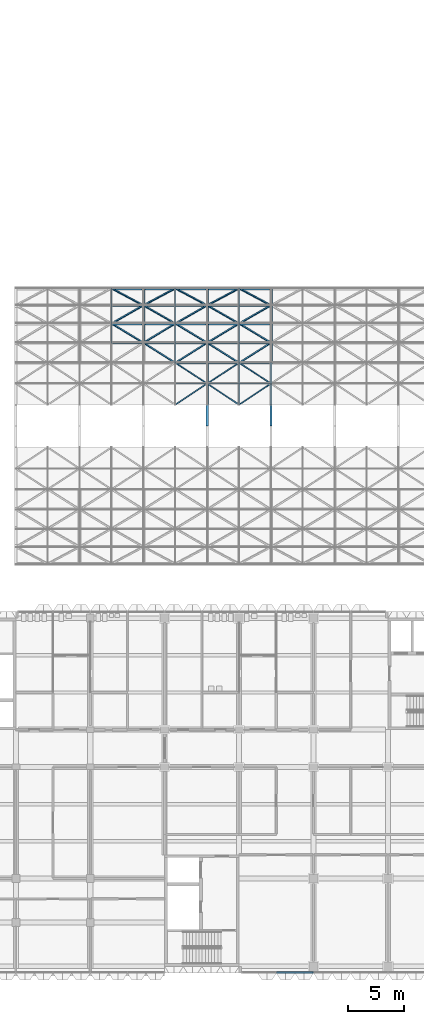
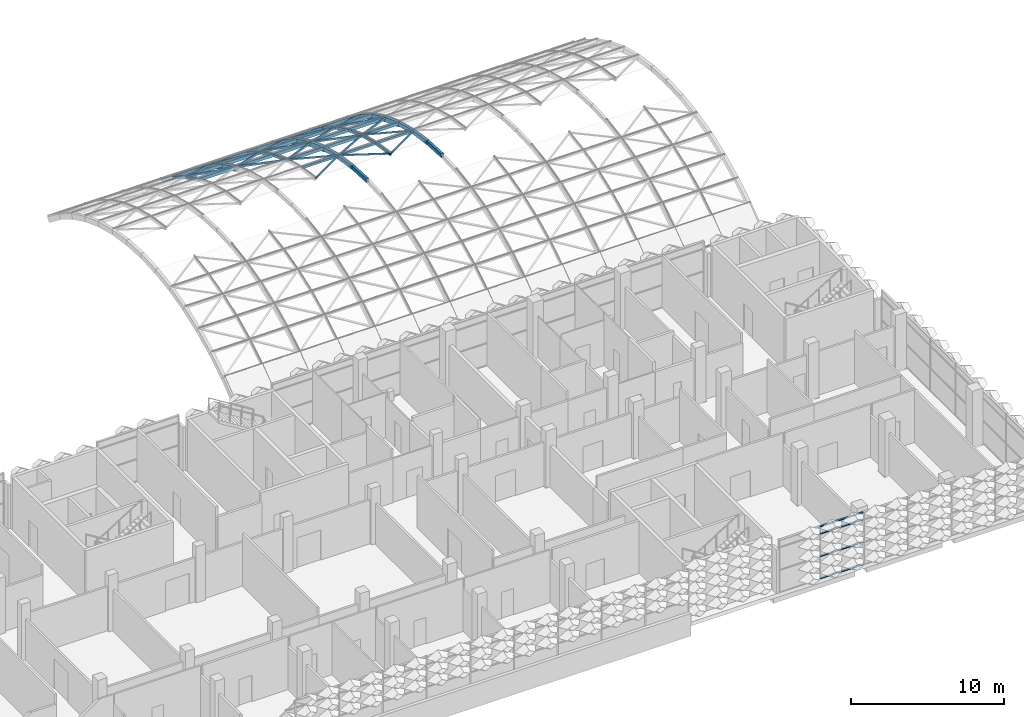
# One storey, part 13 of 85: 85 members, 1 element without a shape of its own.
"""IFC4 building model written with IfcOpenShell, lengths in metres."""

from ifc_helpers import new_model, si_unit, direction, frame, origin, origin_2d, place, context, subcontext, project, spatial, rectangle, hollow_rectangle, extrude, material, material_profile, profile_set, type_object, element, aggregate, save


model = new_model("IFC4")

# Units and contexts
model_context = context("Model", 3, precision=1e-05, world=origin(), true_north=direction((0.0, 1.0)))
body_context = subcontext(model_context, "Body", "Model", "MODEL_VIEW")
ifc_project = project(units=[si_unit("LENGTHUNIT", "METRE"), si_unit("AREAUNIT", "SQUARE_METRE"), si_unit("VOLUMEUNIT", "CUBIC_METRE"), si_unit("PLANEANGLEUNIT", "RADIAN"), si_unit("MASSUNIT", "GRAM", prefix="KILO")], contexts=[model_context])

# Site, building, storey
site_placement = place(None, origin())
site = spatial("IfcSite", under=ifc_project, at=site_placement, CompositionType="ELEMENT")
building_placement = place(site_placement, origin())
building = spatial("IfcBuilding", under=site, at=building_placement, Name="Lantern Court Research Institute", CompositionType="ELEMENT")
storey_placement = place(building_placement, frame((0.0, 0.0, 18.89990234375)))
storey = spatial("IfcBuildingStorey", under=building, at=storey_placement, Name="L04", CompositionType="ELEMENT", Elevation=18.89990234375)

# Members
ifc_material_1 = material(Name="Structural steel S355", Category="steel")
ifc_material_profile_1 = material_profile(ifc_material_1, hollow_rectangle(XDim=0.080078125, YDim=0.159912109375, WallThickness=0.00634765625, at=origin_2d()), Name="Gridshell crown purlin RHS 160 x 80 x 6.3")
ifc_profile_set_1 = profile_set([ifc_material_profile_1], Name="Structural steel S355")
member_type_1 = type_object("IfcMemberType", Name="Gridshell crown purlin RHS 160 x 80 x 6.3", PredefinedType="PURLIN", material=ifc_profile_set_1)
member_1_placement = place(storey_placement, frame((53.802978515625, 43.889892578125, 4.23974609375), z_axis=(1.0, 0.0, 0.0), x_axis=(0.0, 0.979787176632, -0.200042716708)))
element("IfcMember", 1, at=member_1_placement, inside=storey, type_object=member_type_1, Name="Gridshell purlin", PredefinedType="PURLIN", context=body_context, shape_type="SweptSolid", body=[
    extrude(hollow_rectangle(XDim=0.080078125, YDim=0.159912109375, WallThickness=0.00634765625, at=origin_2d()), origin(), (0.0, 0.0, 1.0), 2.66845703125),
])
for number, where, z_axis, x_axis, name in (
    (2, (56.67138671875, 43.889892578125, 4.23974609375), (1.0, 0.0, 0.0), (0.0, 0.979787176632, -0.200042716708), "Gridshell purlin"),
    (3, (59.4599609375, 43.889892578125, 4.23974609375), (1.0, 0.0, 0.0), (0.0, 0.979787176632, -0.200042716708), "Gridshell purlin"),
):
    element("IfcMember", number, at=place(storey_placement, frame(where, z_axis=z_axis, x_axis=x_axis)), inside=storey, type_object=member_type_1, Name=name, PredefinedType="PURLIN", context=body_context, shape_type="SweptSolid", body=[
        extrude(hollow_rectangle(XDim=0.080078125, YDim=0.159912109375, WallThickness=0.00634765625, at=origin_2d()), origin(), (0.0, 0.0, 1.0), 2.668701171875),
    ])
ifc_material_2 = material(Name="Structural steel S355", Category="steel")
ifc_material_profile_2 = material_profile(ifc_material_2, hollow_rectangle(XDim=0.199951171875, YDim=0.300048828125, WallThickness=0.012451171875, at=origin_2d()), Name="Gridshell crown rib RHS 300 x 200 x 12.5")
ifc_profile_set_2 = profile_set([ifc_material_profile_2], Name="Structural steel S355")
member_type_2 = type_object("IfcMemberType", Name="Gridshell crown rib RHS 300 x 200 x 12.5", PredefinedType="RAFTER", material=ifc_profile_set_2)
for number, where, z_axis, x_axis, name in (
    (4, (56.571533203125, 40.117431640625, 4.55029296875), (0.0, 0.998734031897, -0.050302420725), (-1.0, 0.0, 0.0), "Gridshell rib"),
    (5, (56.571533203125, 42.00244140625, 4.4560546875), (0.0, 0.988606386846, -0.150523791767), (-1.0, 0.0, 0.0), "Gridshell rib"),
    (6, (56.571533203125, 43.868408203125, 4.1728515625), (0.0, 0.968482319701, -0.249082308538), (-1.0, 0.0, 0.0), "Gridshell rib"),
    (7, (62.228515625, 40.117431640625, 4.55029296875), (0.0, 0.998734031897, -0.050302420725), (-1.0, 0.0, 0.0), "Gridshell rib"),
    (8, (62.228515625, 42.00244140625, 4.4560546875), (0.0, 0.988606386846, -0.150523791767), (-1.0, 0.0, 0.0), "Gridshell rib"),
    (9, (62.228515625, 43.868408203125, 4.1728515625), (0.0, 0.968482319701, -0.249082308538), (-1.0, 0.0, 0.0), "Gridshell rib"),
):
    element("IfcMember", number, at=place(storey_placement, frame(where, z_axis=z_axis, x_axis=x_axis)), inside=storey, type_object=member_type_2, Name=name, PredefinedType="RAFTER", context=body_context, shape_type="SweptSolid", body=[
        extrude(hollow_rectangle(XDim=0.199951171875, YDim=0.300048828125, WallThickness=0.012451171875, at=origin_2d()), origin(), (0.0, 0.0, 1.0), 1.902587890625),
    ])
ifc_material_3 = material(Name="Structural steel S355", Category="steel")
ifc_material_profile_3 = material_profile(ifc_material_3, hollow_rectangle(XDim=0.10009765625, YDim=0.10009765625, WallThickness=0.00634765625, at=origin_2d()), Name="Gridshell diagonal RHS 100 x 100 x 6.3")
ifc_profile_set_3 = profile_set([ifc_material_profile_3], Name="Structural steel S355")
member_type_3 = type_object("IfcMemberType", Name="Gridshell diagonal RHS 100 x 100 x 6.3", PredefinedType="BRACE", material=ifc_profile_set_3)
member_2_placement = place(storey_placement, frame((53.742919921875, 42.017578125, 4.554931640625), z_axis=(0.82980233239, 0.551697511341, -0.084011577412), x_axis=(-0.558057423637, 0.82035435083, -0.124862528398)))
element("IfcMember", 10, at=member_2_placement, inside=storey, type_object=member_type_3, Name="Gridshell diagonal", PredefinedType="BRACE", context=body_context, shape_type="SweptSolid", body=[
    extrude(hollow_rectangle(XDim=0.10009765625, YDim=0.10009765625, WallThickness=0.00634765625, at=origin_2d()), origin(), (0.0, 0.0, 1.0), 3.40869140625),
])
member_3_placement = place(storey_placement, frame((56.571533203125, 43.893310546875, 4.26953125), z_axis=(-0.829775619624, 0.540507215717, -0.139012124779), x_axis=(-0.558097142967, -0.803618783295, 0.206698887629)))
element("IfcMember", 11, at=member_3_placement, inside=storey, type_object=member_type_3, Name="Gridshell diagonal", PredefinedType="BRACE", context=body_context, shape_type="SweptSolid", body=[
    extrude(hollow_rectangle(XDim=0.10009765625, YDim=0.10009765625, WallThickness=0.00634765625, at=origin_2d()), origin(), (0.0, 0.0, 1.0), 3.408935546875),
])
for number, where, z_axis, x_axis, name in (
    (12, (59.39990234375, 42.017578125, 4.554931640625), (-0.829780025572, 0.551730300991, -0.084016570565), (-0.558090591389, -0.820331795055, 0.124862475647), "Gridshell diagonal"),
    (13, (56.571533203125, 43.893310546875, 4.26953125), (0.829753310349, 0.540539338213, -0.139020386309), (-0.558130310777, 0.803595810166, -0.20669864556), "Gridshell diagonal"),
    (14, (59.39990234375, 42.017578125, 4.554931640625), (0.82980233239, 0.551697511341, -0.084011577412), (-0.558057423637, 0.82035435083, -0.124862528398), "Gridshell diagonal"),
):
    element("IfcMember", number, at=place(storey_placement, frame(where, z_axis=z_axis, x_axis=x_axis)), inside=storey, type_object=member_type_3, Name=name, PredefinedType="BRACE", context=body_context, shape_type="SweptSolid", body=[
        extrude(hollow_rectangle(XDim=0.10009765625, YDim=0.10009765625, WallThickness=0.00634765625, at=origin_2d()), origin(), (0.0, 0.0, 1.0), 3.40869140625),
    ])
member_4_placement = place(storey_placement, frame((62.228515625, 43.893310546875, 4.26953125), z_axis=(-0.829775619624, 0.540507215717, -0.139012124779), x_axis=(-0.558097142967, -0.803618783295, 0.206698887629)))
element("IfcMember", 15, at=member_4_placement, inside=storey, type_object=member_type_3, Name="Gridshell diagonal", PredefinedType="BRACE", context=body_context, shape_type="SweptSolid", body=[
    extrude(hollow_rectangle(XDim=0.10009765625, YDim=0.10009765625, WallThickness=0.00634765625, at=origin_2d()), origin(), (0.0, 0.0, 1.0), 3.408935546875),
])
ifc_material_4 = material(Name="Structural steel S355", Category="steel")
ifc_material_profile_4 = material_profile(ifc_material_4, hollow_rectangle(XDim=0.1201171875, YDim=0.1201171875, WallThickness=0.008056640625, at=origin_2d()), Name="Gridshell haunch diagonal RHS 120 x 120 x 8")
ifc_profile_set_4 = profile_set([ifc_material_profile_4], Name="Structural steel S355")
member_type_4 = type_object("IfcMemberType", Name="Gridshell haunch diagonal RHS 120 x 120 x 8", PredefinedType="BRACE", material=ifc_profile_set_4)
for number, where, z_axis, x_axis, name in (
    (16, (50.914306640625, 47.507568359375, 3.133544921875), (-0.829773300042, 0.501760032806, -0.244362722229), (-0.558100591295, -0.746025342522, 0.363276641571), "Gridshell diagonal"),
    (17, (48.085693359375, 49.212646484375, 2.303466796875), (0.82977711353, 0.474690377048, -0.293494442538), (-0.558094919699, 0.705724175305, -0.436444096072), "Gridshell diagonal"),
    (18, (50.914306640625, 50.82568359375, 1.306396484375), (-0.82977993963, 0.442749834869, -0.339761439117), (-0.558090719968, -0.658279580966, 0.505175951099), "Gridshell diagonal"),
    (19, (53.742919921875, 45.7275390625, 3.787841796875), (-0.829762838758, 0.523811962945, -0.192651651671), (-0.558116144955, -0.778754373318, 0.286440211525), "Gridshell diagonal"),
    (20, (50.914306640625, 47.507568359375, 3.133544921875), (0.829773300042, 0.501760032806, -0.244362722229), (-0.558100591295, 0.746025342522, -0.363276641571), "Gridshell diagonal"),
    (21, (53.742919921875, 49.212646484375, 2.303466796875), (-0.82977711353, 0.474690377048, -0.293494442538), (-0.558094919699, -0.705724175305, 0.436444096072), "Gridshell diagonal"),
    (22, (50.914306640625, 50.82568359375, 1.306396484375), (0.82977993963, 0.442749834869, -0.339761439117), (-0.558090719968, 0.658279580966, -0.505175951099), "Gridshell diagonal"),
    (23, (53.742919921875, 45.7275390625, 3.787841796875), (0.829762838758, 0.523811962945, -0.192651651671), (-0.558116144955, 0.778754373318, -0.286440211525), "Gridshell diagonal"),
    (24, (56.571533203125, 47.507568359375, 3.133544921875), (-0.829773300042, 0.501760032806, -0.244362722229), (-0.558100591295, -0.746025342522, 0.363276641571), "Gridshell diagonal"),
    (25, (53.742919921875, 49.212646484375, 2.303466796875), (0.82977711353, 0.474690377048, -0.293494442538), (-0.558094919699, 0.705724175305, -0.436444096072), "Gridshell diagonal"),
    (26, (56.571533203125, 50.82568359375, 1.306396484375), (-0.82977993963, 0.442749834869, -0.339761439117), (-0.558090719968, -0.658279580966, 0.505175951099), "Gridshell diagonal"),
):
    element("IfcMember", number, at=place(storey_placement, frame(where, z_axis=z_axis, x_axis=x_axis)), inside=storey, type_object=member_type_4, Name=name, PredefinedType="BRACE", context=body_context, shape_type="SweptSolid", body=[
        extrude(hollow_rectangle(XDim=0.1201171875, YDim=0.1201171875, WallThickness=0.008056640625, at=origin_2d()), origin(), (0.0, 0.0, 1.0), 3.408935546875),
    ])
for number, where, z_axis, x_axis, name in (
    (27, (59.39990234375, 45.7275390625, 3.787841796875), (-0.829740528308, 0.523843092278, -0.19266310066), (-0.558149312823, -0.778730842923, 0.28643955536), "Gridshell diagonal"),
    (28, (56.571533203125, 47.507568359375, 3.133544921875), (0.829750990554, 0.50178985238, -0.244377244693), (-0.558133759376, 0.746001196046, -0.363275270481), "Gridshell diagonal"),
    (29, (59.39990234375, 49.212646484375, 2.303466796875), (-0.829754804392, 0.474718588132, -0.293511885058), (-0.55812808698, -0.705699457062, 0.436441651113), "Gridshell diagonal"),
    (30, (56.571533203125, 50.82568359375, 1.306396484375), (0.829757630752, 0.442776147891, -0.339781631445), (-0.558123887656, 0.658254466927, -0.505172032874), "Gridshell diagonal"),
):
    element("IfcMember", number, at=place(storey_placement, frame(where, z_axis=z_axis, x_axis=x_axis)), inside=storey, type_object=member_type_4, Name=name, PredefinedType="BRACE", context=body_context, shape_type="SweptSolid", body=[
        extrude(hollow_rectangle(XDim=0.1201171875, YDim=0.1201171875, WallThickness=0.008056640625, at=origin_2d()), origin(), (0.0, 0.0, 1.0), 3.40869140625),
    ])
for number, where, z_axis, x_axis, name in (
    (31, (59.39990234375, 45.7275390625, 3.787841796875), (0.829762838758, 0.523811962945, -0.192651651671), (-0.558116144955, 0.778754373318, -0.286440211525), "Gridshell diagonal"),
    (32, (62.228515625, 47.507568359375, 3.133544921875), (-0.829773300042, 0.501760032806, -0.244362722229), (-0.558100591295, -0.746025342522, 0.363276641571), "Gridshell diagonal"),
    (33, (59.39990234375, 49.212646484375, 2.303466796875), (0.82977711353, 0.474690377048, -0.293494442538), (-0.558094919699, 0.705724175305, -0.436444096072), "Gridshell diagonal"),
    (34, (62.228515625, 50.82568359375, 1.306396484375), (-0.82977993963, 0.442749834869, -0.339761439117), (-0.558090719968, -0.658279580966, 0.505175951099), "Gridshell diagonal"),
):
    element("IfcMember", number, at=place(storey_placement, frame(where, z_axis=z_axis, x_axis=x_axis)), inside=storey, type_object=member_type_4, Name=name, PredefinedType="BRACE", context=body_context, shape_type="SweptSolid", body=[
        extrude(hollow_rectangle(XDim=0.1201171875, YDim=0.1201171875, WallThickness=0.008056640625, at=origin_2d()), origin(), (0.0, 0.0, 1.0), 3.408935546875),
    ])
ifc_material_5 = material(Name="Structural steel S355", Category="steel")
ifc_material_profile_5 = material_profile(ifc_material_5, hollow_rectangle(XDim=0.25, YDim=0.35009765625, WallThickness=0.01611328125, at=origin_2d()), Name="Gridshell haunch rib RHS 350 x 250 x 16")
ifc_profile_set_5 = profile_set([ifc_material_profile_5], Name="Structural steel S355")
member_type_5 = type_object("IfcMemberType", Name="Gridshell haunch rib RHS 350 x 250 x 16", PredefinedType="RAFTER", material=ifc_profile_set_5)
member_5_placement = place(storey_placement, frame((50.914306640625, 47.457275390625, 3.030029296875), z_axis=(0.0, 0.899099966644, -0.437743360865), x_axis=(-1.0, 0.0, 0.0)))
element("IfcMember", 35, at=member_5_placement, inside=storey, type_object=member_type_5, Name="Gridshell rib", PredefinedType="RAFTER", context=body_context, shape_type="SweptSolid", body=[
    extrude(hollow_rectangle(XDim=0.25, YDim=0.35009765625, WallThickness=0.01611328125, at=origin_2d()), origin(), (0.0, 0.0, 1.0), 1.90234375),
])
member_6_placement = place(storey_placement, frame((50.914306640625, 49.152099609375, 2.205810546875), z_axis=(0.0, 0.850497510265, -0.525979072809), x_axis=(-1.0, 0.0, 0.0)))
element("IfcMember", 36, at=member_6_placement, inside=storey, type_object=member_type_5, Name="Gridshell rib", PredefinedType="RAFTER", context=body_context, shape_type="SweptSolid", body=[
    extrude(hollow_rectangle(XDim=0.25, YDim=0.35009765625, WallThickness=0.01611328125, at=origin_2d()), origin(), (0.0, 0.0, 1.0), 1.902587890625),
])
for number, where, z_axis, x_axis, name in (
    (37, (50.914306640625, 50.755615234375, 1.215087890625), (0.0, 0.793329505358, -0.608792490039), (-1.0, 0.0, 0.0), "Gridshell rib"),
    (38, (56.571533203125, 45.68798828125, 3.679931640625), (0.0, 0.938520472327, -0.345223584105), (-1.0, 0.0, 0.0), "Gridshell rib"),
    (39, (56.571533203125, 47.457275390625, 3.030029296875), (0.0, 0.899099966644, -0.437743360865), (-1.0, 0.0, 0.0), "Gridshell rib"),
):
    element("IfcMember", number, at=place(storey_placement, frame(where, z_axis=z_axis, x_axis=x_axis)), inside=storey, type_object=member_type_5, Name=name, PredefinedType="RAFTER", context=body_context, shape_type="SweptSolid", body=[
        extrude(hollow_rectangle(XDim=0.25, YDim=0.35009765625, WallThickness=0.01611328125, at=origin_2d()), origin(), (0.0, 0.0, 1.0), 1.90234375),
    ])
member_7_placement = place(storey_placement, frame((56.571533203125, 49.152099609375, 2.205810546875), z_axis=(0.0, 0.850497510265, -0.525979072809), x_axis=(-1.0, 0.0, 0.0)))
element("IfcMember", 40, at=member_7_placement, inside=storey, type_object=member_type_5, Name="Gridshell rib", PredefinedType="RAFTER", context=body_context, shape_type="SweptSolid", body=[
    extrude(hollow_rectangle(XDim=0.25, YDim=0.35009765625, WallThickness=0.01611328125, at=origin_2d()), origin(), (0.0, 0.0, 1.0), 1.902587890625),
])
for number, where, z_axis, x_axis, name in (
    (41, (56.571533203125, 50.755615234375, 1.215087890625), (0.0, 0.793329505358, -0.608792490039), (-1.0, 0.0, 0.0), "Gridshell rib"),
    (42, (62.228515625, 45.68798828125, 3.679931640625), (0.0, 0.938520472327, -0.345223584105), (-1.0, 0.0, 0.0), "Gridshell rib"),
    (43, (62.228515625, 47.457275390625, 3.030029296875), (0.0, 0.899099966644, -0.437743360865), (-1.0, 0.0, 0.0), "Gridshell rib"),
):
    element("IfcMember", number, at=place(storey_placement, frame(where, z_axis=z_axis, x_axis=x_axis)), inside=storey, type_object=member_type_5, Name=name, PredefinedType="RAFTER", context=body_context, shape_type="SweptSolid", body=[
        extrude(hollow_rectangle(XDim=0.25, YDim=0.35009765625, WallThickness=0.01611328125, at=origin_2d()), origin(), (0.0, 0.0, 1.0), 1.90234375),
    ])
member_8_placement = place(storey_placement, frame((62.228515625, 49.152099609375, 2.205810546875), z_axis=(0.0, 0.850497510265, -0.525979072809), x_axis=(-1.0, 0.0, 0.0)))
element("IfcMember", 44, at=member_8_placement, inside=storey, type_object=member_type_5, Name="Gridshell rib", PredefinedType="RAFTER", context=body_context, shape_type="SweptSolid", body=[
    extrude(hollow_rectangle(XDim=0.25, YDim=0.35009765625, WallThickness=0.01611328125, at=origin_2d()), origin(), (0.0, 0.0, 1.0), 1.902587890625),
])
member_9_placement = place(storey_placement, frame((62.228515625, 50.755615234375, 1.215087890625), z_axis=(0.0, 0.793329505358, -0.608792490039), x_axis=(-1.0, 0.0, 0.0)))
element("IfcMember", 45, at=member_9_placement, inside=storey, type_object=member_type_5, Name="Gridshell rib", PredefinedType="RAFTER", context=body_context, shape_type="SweptSolid", body=[
    extrude(hollow_rectangle(XDim=0.25, YDim=0.35009765625, WallThickness=0.01611328125, at=origin_2d()), origin(), (0.0, 0.0, 1.0), 1.90234375),
])
ifc_material_6 = material(Name="Structural steel S355", Category="steel")
ifc_material_profile_6 = material_profile(ifc_material_6, hollow_rectangle(XDim=0.10009765625, YDim=0.199951171875, WallThickness=0.008056640625, at=origin_2d()), Name="Gridshell purlin RHS 200 x 100 x 8")
ifc_profile_set_6 = profile_set([ifc_material_profile_6], Name="Structural steel S355")
member_type_6 = type_object("IfcMemberType", Name="Gridshell purlin RHS 200 x 100 x 8", PredefinedType="PURLIN", material=ifc_profile_set_6)
for number, where, z_axis, x_axis, name in (
    (46, (53.802978515625, 45.718505859375, 3.748779296875), (1.0, 0.0, 0.0), (0.0, 0.954713115517, -0.29752792652), "Gridshell purlin"),
    (47, (56.696533203125, 45.718505859375, 3.748779296875), (1.0, 0.0, 0.0), (0.0, 0.954713115517, -0.29752792652), "Gridshell purlin"),
    (48, (59.4599609375, 45.718505859375, 3.748779296875), (1.0, 0.0, 0.0), (0.0, 0.954713115517, -0.29752792652), "Gridshell purlin"),
    (49, (48.145751953125, 47.49462890625, 3.095458984375), (1.0, 0.0, 0.0), (0.0, 0.919965822984, -0.391998577219), "Gridshell purlin"),
    (50, (51.039306640625, 47.49462890625, 3.095458984375), (1.0, 0.0, 0.0), (0.0, 0.919965822984, -0.391998577219), "Gridshell purlin"),
    (51, (53.802978515625, 47.49462890625, 3.095458984375), (1.0, 0.0, 0.0), (0.0, 0.919965822984, -0.391998577219), "Gridshell purlin"),
    (52, (56.696533203125, 47.49462890625, 3.095458984375), (1.0, 0.0, 0.0), (0.0, 0.919965822984, -0.391998577219), "Gridshell purlin"),
    (53, (59.4599609375, 47.49462890625, 3.095458984375), (1.0, 0.0, 0.0), (0.0, 0.919965822984, -0.391998577219), "Gridshell purlin"),
    (54, (48.145751953125, 49.196044921875, 2.266845703125), (1.0, 0.0, 0.0), (0.0, 0.875897373228, -0.482497452399), "Gridshell purlin"),
    (55, (51.039306640625, 49.196044921875, 2.266845703125), (1.0, 0.0, 0.0), (0.0, 0.875897373228, -0.482497452399), "Gridshell purlin"),
    (56, (53.802978515625, 49.196044921875, 2.266845703125), (1.0, 0.0, 0.0), (0.0, 0.875897373228, -0.482497452399), "Gridshell purlin"),
    (57, (56.696533203125, 49.196044921875, 2.266845703125), (1.0, 0.0, 0.0), (0.0, 0.875897373228, -0.482497452399), "Gridshell purlin"),
    (58, (59.4599609375, 49.196044921875, 2.266845703125), (1.0, 0.0, 0.0), (0.0, 0.875897373228, -0.482497452399), "Gridshell purlin"),
    (59, (48.145751953125, 50.805419921875, 1.271728515625), (1.0, 0.0, 0.0), (0.0, 0.822954255966, -0.568107641726), "Gridshell purlin"),
    (60, (51.039306640625, 50.805419921875, 1.271728515625), (1.0, 0.0, 0.0), (0.0, 0.822954255966, -0.568107641726), "Gridshell purlin"),
    (61, (53.802978515625, 50.805419921875, 1.271728515625), (1.0, 0.0, 0.0), (0.0, 0.822954255966, -0.568107641726), "Gridshell purlin"),
    (62, (56.696533203125, 50.805419921875, 1.271728515625), (1.0, 0.0, 0.0), (0.0, 0.822954255966, -0.568107641726), "Gridshell purlin"),
    (63, (59.4599609375, 50.805419921875, 1.271728515625), (1.0, 0.0, 0.0), (0.0, 0.822954255966, -0.568107641726), "Gridshell purlin"),
    (64, (48.145751953125, 52.306640625, 0.11962890625), (1.0, 0.0, 0.0), (0.0, 0.761672913152, -0.647961706717), "Gridshell purlin"),
    (65, (51.039306640625, 52.306640625, 0.11962890625), (1.0, 0.0, 0.0), (0.0, 0.761672913152, -0.647961706717), "Gridshell purlin"),
    (66, (53.802978515625, 52.306640625, 0.11962890625), (1.0, 0.0, 0.0), (0.0, 0.761672913152, -0.647961706717), "Gridshell purlin"),
    (67, (56.696533203125, 52.306640625, 0.11962890625), (1.0, 0.0, 0.0), (0.0, 0.761672913152, -0.647961706717), "Gridshell purlin"),
    (68, (59.4599609375, 52.306640625, 0.11962890625), (1.0, 0.0, 0.0), (0.0, 0.761672913152, -0.647961706717), "Gridshell purlin"),
):
    element("IfcMember", number, at=place(storey_placement, frame(where, z_axis=z_axis, x_axis=x_axis)), inside=storey, type_object=member_type_6, Name=name, PredefinedType="PURLIN", context=body_context, shape_type="SweptSolid", body=[
        extrude(hollow_rectangle(XDim=0.10009765625, YDim=0.199951171875, WallThickness=0.008056640625, at=origin_2d()), origin(), (0.0, 0.0, 1.0), 2.6435546875),
    ])
ifc_material_7 = material(Name="Structural steel S355", Category="steel")
ifc_material_profile_7 = material_profile(ifc_material_7, hollow_rectangle(XDim=0.1201171875, YDim=0.199951171875, WallThickness=0.008056640625, at=origin_2d()), Name="Gridshell secondary rib RHS 200 x 120 x 8")
ifc_profile_set_7 = profile_set([ifc_material_profile_7], Name="Structural steel S355")
member_type_7 = type_object("IfcMemberType", Name="Gridshell secondary rib RHS 200 x 120 x 8", PredefinedType="RAFTER", material=ifc_profile_set_7)
member_10_placement = place(storey_placement, frame((48.085693359375, 47.489990234375, 3.09765625), z_axis=(0.0, 0.899049454889, -0.437847093931), x_axis=(-1.0, 0.0, 0.0)))
element("IfcMember", 69, at=member_10_placement, inside=storey, type_object=member_type_7, Name="Gridshell secondary rib", PredefinedType="RAFTER", context=body_context, shape_type="SweptSolid", body=[
    extrude(hollow_rectangle(XDim=0.1201171875, YDim=0.199951171875, WallThickness=0.008056640625, at=origin_2d()), origin(), (0.0, 0.0, 1.0), 1.902587890625),
])
for number, where, z_axis, x_axis, name in (
    (70, (48.085693359375, 49.191650390625, 2.26953125), (0.0, 0.850462004525, -0.526036480541), (-1.0, 0.0, 0.0), "Gridshell secondary rib"),
    (71, (48.085693359375, 50.80126953125, 1.274658203125), (0.0, 0.793329505358, -0.608792490039), (-1.0, 0.0, 0.0), "Gridshell secondary rib"),
    (72, (53.742919921875, 45.7138671875, 3.750244140625), (0.0, 0.938520472327, -0.345223584105), (-1.0, 0.0, 0.0), "Gridshell secondary rib"),
):
    element("IfcMember", number, at=place(storey_placement, frame(where, z_axis=z_axis, x_axis=x_axis)), inside=storey, type_object=member_type_7, Name=name, PredefinedType="RAFTER", context=body_context, shape_type="SweptSolid", body=[
        extrude(hollow_rectangle(XDim=0.1201171875, YDim=0.199951171875, WallThickness=0.008056640625, at=origin_2d()), origin(), (0.0, 0.0, 1.0), 1.90234375),
    ])
member_11_placement = place(storey_placement, frame((53.742919921875, 47.489990234375, 3.09765625), z_axis=(0.0, 0.899049454889, -0.437847093931), x_axis=(-1.0, 0.0, 0.0)))
element("IfcMember", 73, at=member_11_placement, inside=storey, type_object=member_type_7, Name="Gridshell secondary rib", PredefinedType="RAFTER", context=body_context, shape_type="SweptSolid", body=[
    extrude(hollow_rectangle(XDim=0.1201171875, YDim=0.199951171875, WallThickness=0.008056640625, at=origin_2d()), origin(), (0.0, 0.0, 1.0), 1.902587890625),
])
for number, where, z_axis, x_axis, name in (
    (74, (53.742919921875, 49.191650390625, 2.26953125), (0.0, 0.850462004525, -0.526036480541), (-1.0, 0.0, 0.0), "Gridshell secondary rib"),
    (75, (53.742919921875, 50.80126953125, 1.274658203125), (0.0, 0.793329505358, -0.608792490039), (-1.0, 0.0, 0.0), "Gridshell secondary rib"),
):
    element("IfcMember", number, at=place(storey_placement, frame(where, z_axis=z_axis, x_axis=x_axis)), inside=storey, type_object=member_type_7, Name=name, PredefinedType="RAFTER", context=body_context, shape_type="SweptSolid", body=[
        extrude(hollow_rectangle(XDim=0.1201171875, YDim=0.199951171875, WallThickness=0.008056640625, at=origin_2d()), origin(), (0.0, 0.0, 1.0), 1.90234375),
    ])
for number, where, z_axis, x_axis, name in (
    (76, (59.39990234375, 42.010009765625, 4.50537109375), (0.0, 0.988625474964, -0.15039837184), (-1.0, 0.0, 0.0), "Gridshell secondary rib"),
    (77, (59.39990234375, 43.880859375, 4.22119140625), (0.0, 0.968482319701, -0.249082308538), (-1.0, 0.0, 0.0), "Gridshell secondary rib"),
):
    element("IfcMember", number, at=place(storey_placement, frame(where, z_axis=z_axis, x_axis=x_axis)), inside=storey, type_object=member_type_7, Name=name, PredefinedType="RAFTER", context=body_context, shape_type="SweptSolid", body=[
        extrude(hollow_rectangle(XDim=0.1201171875, YDim=0.199951171875, WallThickness=0.008056640625, at=origin_2d()), origin(), (0.0, 0.0, 1.0), 1.902587890625),
    ])
member_12_placement = place(storey_placement, frame((59.39990234375, 45.7138671875, 3.750244140625), z_axis=(0.0, 0.938520472327, -0.345223584105), x_axis=(-1.0, 0.0, 0.0)))
element("IfcMember", 78, at=member_12_placement, inside=storey, type_object=member_type_7, Name="Gridshell secondary rib", PredefinedType="RAFTER", context=body_context, shape_type="SweptSolid", body=[
    extrude(hollow_rectangle(XDim=0.1201171875, YDim=0.199951171875, WallThickness=0.008056640625, at=origin_2d()), origin(), (0.0, 0.0, 1.0), 1.90234375),
])
member_13_placement = place(storey_placement, frame((59.39990234375, 47.489990234375, 3.09765625), z_axis=(0.0, 0.899049454889, -0.437847093931), x_axis=(-1.0, 0.0, 0.0)))
element("IfcMember", 79, at=member_13_placement, inside=storey, type_object=member_type_7, Name="Gridshell secondary rib", PredefinedType="RAFTER", context=body_context, shape_type="SweptSolid", body=[
    extrude(hollow_rectangle(XDim=0.1201171875, YDim=0.199951171875, WallThickness=0.008056640625, at=origin_2d()), origin(), (0.0, 0.0, 1.0), 1.902587890625),
])
for number, where, z_axis, x_axis, name in (
    (80, (59.39990234375, 49.191650390625, 2.26953125), (0.0, 0.850462004525, -0.526036480541), (-1.0, 0.0, 0.0), "Gridshell secondary rib"),
    (81, (59.39990234375, 50.80126953125, 1.274658203125), (0.0, 0.793329505358, -0.608792490039), (-1.0, 0.0, 0.0), "Gridshell secondary rib"),
):
    element("IfcMember", number, at=place(storey_placement, frame(where, z_axis=z_axis, x_axis=x_axis)), inside=storey, type_object=member_type_7, Name=name, PredefinedType="RAFTER", context=body_context, shape_type="SweptSolid", body=[
        extrude(hollow_rectangle(XDim=0.1201171875, YDim=0.199951171875, WallThickness=0.008056640625, at=origin_2d()), origin(), (0.0, 0.0, 1.0), 1.90234375),
    ])

# Curtain wall, members
ifc_material_8 = material(Name="Aluminium alloy 6063-T6", Category="aluminium")
curtain_wall_type = type_object("IfcCurtainWallType", Name="Curtain wall 20200 x 4200 x 150 aluminium frame", PredefinedType="NOTDEFINED", material=ifc_material_8)
curtain_wall_placement = place(storey_placement, origin())
curtain_wall = element("IfcCurtainWall", 82, at=curtain_wall_placement, inside=storey, type_object=curtain_wall_type, Name="Curtain wall CW067", PredefinedType="NOTDEFINED")
ifc_material_9 = material(Name="Aluminium alloy 6063-T6", Category="aluminium")
ifc_material_profile_8 = material_profile(ifc_material_9, rectangle(XDim=0.14990234375, YDim=0.06005859375, at=origin_2d()), Name="Transom 150 x 60")
ifc_profile_set_8 = profile_set([ifc_material_profile_8], Name="Aluminium alloy 6063-T6")
member_type_8 = type_object("IfcMemberType", Name="Transom 150 x 60 aluminium", PredefinedType="USERDEFINED", material=ifc_profile_set_8)
member_14_placement = place(storey_placement, frame((65.969970703125, -8.324951171875, 0.030029296875), z_axis=(-1.0, 0.0, 0.0), x_axis=(0.0, -1.0, 0.0)))
member_14 = element("IfcMember", 83, at=member_14_placement, type_object=member_type_8, Name="CW067 transom 2.1", ObjectType="TRANSOM", PredefinedType="USERDEFINED", context=body_context, shape_type="SweptSolid", body=[
    extrude(rectangle(XDim=0.14990234375, YDim=0.06005859375, at=origin_2d()), origin(), (0.0, 0.0, 1.0), 3.239990234375),
])
member_15_placement = place(storey_placement, frame((65.969970703125, -8.324951171875, 1.800048828125), z_axis=(-1.0, 0.0, 0.0), x_axis=(0.0, -1.0, 0.0)))
member_15 = element("IfcMember", 84, at=member_15_placement, type_object=member_type_8, Name="CW067 transom 2.2", ObjectType="TRANSOM", PredefinedType="USERDEFINED", context=body_context, shape_type="SweptSolid", body=[
    extrude(rectangle(XDim=0.14990234375, YDim=0.06005859375, at=origin_2d()), origin(), (0.0, 0.0, 1.0), 3.239990234375),
])
member_16_placement = place(storey_placement, frame((65.969970703125, -8.324951171875, 3.60009765625), z_axis=(-1.0, 0.0, 0.0), x_axis=(0.0, -1.0, 0.0)))
member_16 = element("IfcMember", 85, at=member_16_placement, type_object=member_type_8, Name="CW067 transom 2.3", ObjectType="TRANSOM", PredefinedType="USERDEFINED", context=body_context, shape_type="SweptSolid", body=[
    extrude(rectangle(XDim=0.14990234375, YDim=0.06005859375, at=origin_2d()), origin(), (0.0, 0.0, 1.0), 3.239990234375),
])
member_17_placement = place(storey_placement, frame((65.969970703125, -8.324951171875, 4.170166015625), z_axis=(-1.0, 0.0, 0.0), x_axis=(0.0, -1.0, 0.0)))
member_17 = element("IfcMember", 86, at=member_17_placement, type_object=member_type_8, Name="CW067 transom 2.4", ObjectType="TRANSOM", PredefinedType="USERDEFINED", context=body_context, shape_type="SweptSolid", body=[
    extrude(rectangle(XDim=0.14990234375, YDim=0.06005859375, at=origin_2d()), origin(), (0.0, 0.0, 1.0), 3.239990234375),
])
aggregate(curtain_wall, [member_14, member_15, member_16, member_17])

save(model, "model.ifc")
